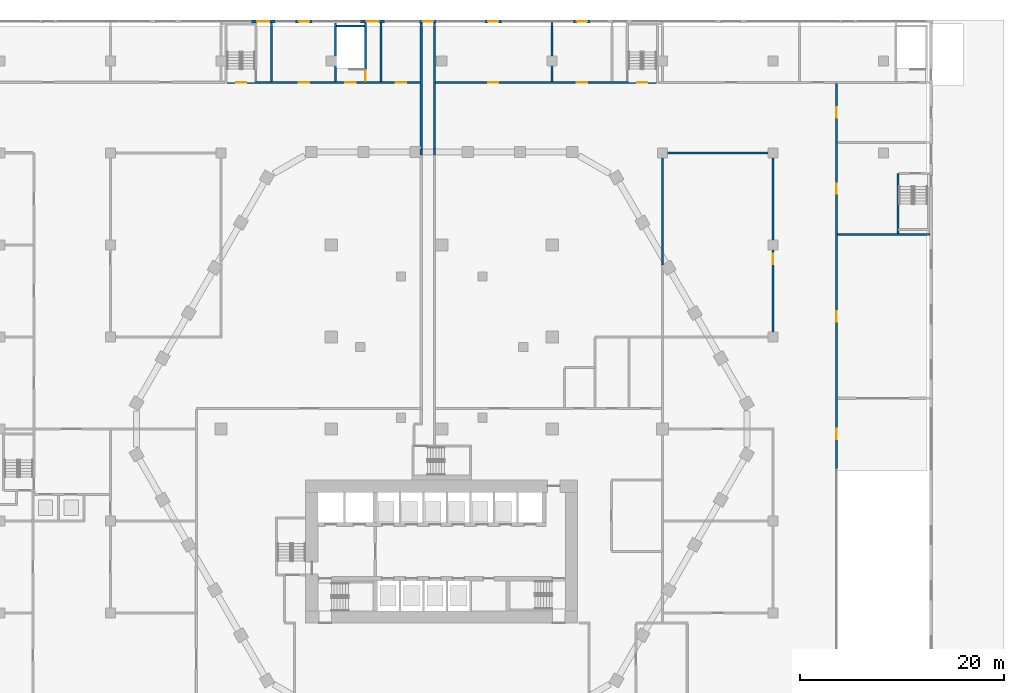
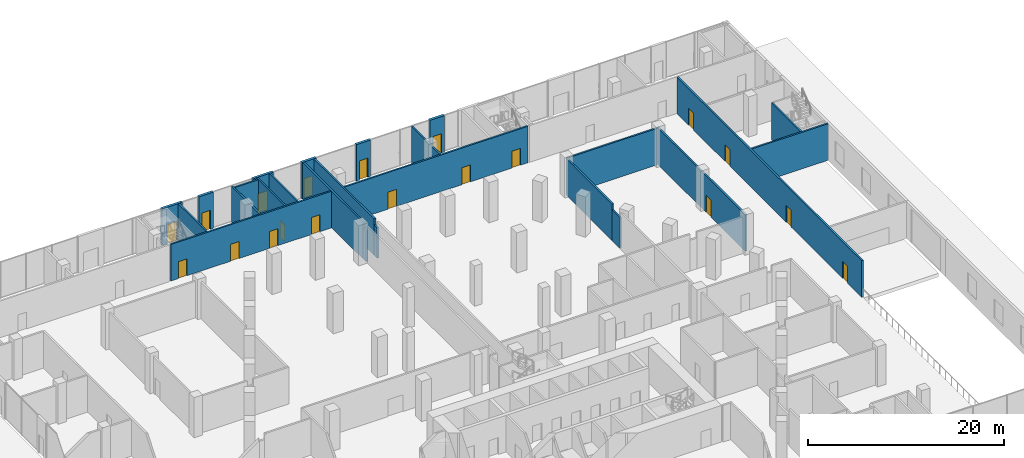
# One storey, part 27 of 57: 25 walls, 19 doors, 19 openings.
"""IFC4 building model written with IfcOpenShell, lengths in metres."""

from ifc_helpers import new_model, si_unit, direction, frame, frame_2d, origin, place, context, subcontext, project, spatial, rectangle, extrude, material, layer, layer_set, type_object, element, fill, save


model = new_model("IFC4")

# Units and contexts
model_context = context("Model", 3, precision=1e-05, world=origin(), true_north=direction((0.0, 1.0)))
body_context = subcontext(model_context, "Body", "Model", "MODEL_VIEW")
ifc_project = project(units=[si_unit("LENGTHUNIT", "METRE"), si_unit("AREAUNIT", "SQUARE_METRE"), si_unit("VOLUMEUNIT", "CUBIC_METRE"), si_unit("PLANEANGLEUNIT", "RADIAN"), si_unit("MASSUNIT", "GRAM", prefix="KILO")], contexts=[model_context])

# Site, building, storey
site_placement = place(None, origin())
site = spatial("IfcSite", under=ifc_project, at=site_placement, CompositionType="ELEMENT")
building_placement = place(site_placement, origin())
building = spatial("IfcBuilding", under=site, at=building_placement, Name="Beryl Residences", CompositionType="ELEMENT")
storey_placement = place(building_placement, origin())
storey = spatial("IfcBuildingStorey", under=building, at=storey_placement, Name="L00", CompositionType="ELEMENT", Elevation=0.0)

# Wall, opening, door
ifc_material_1 = material(Name="Composite metal panel with mineral wool insulation")
ifc_layer_1 = layer(ifc_material_1, 0.300048828125)
ifc_layer_set_1 = layer_set([ifc_layer_1], Name="ES1 pale metal composite panel wall 300 mm")
wall_type_1 = type_object("IfcWallType", Name="ES1 pale metal composite panel wall 300 mm", PredefinedType="SOLIDWALL", material=ifc_layer_set_1)
wall_1_placement = place(storey_placement, frame((-0.5, 39.85009765625, 0.0), z_axis=(0.0, 0.0, 1.0), x_axis=(-1.0, 0.0, 0.0)))
wall_1 = element("IfcWall", 1, at=wall_1_placement, inside=storey, type_object=wall_type_1, Name="ES1 entrance wall L00 N", PredefinedType="SOLIDWALL", context=body_context, shape_type="SweptSolid", body=[
    extrude(rectangle(XDim=1.699951171875, YDim=0.300048828125, at=frame_2d((0.85009765625, 0.0))), origin(), (0.0, 0.0, 1.0), 4.550048828125),
])
opening_1_placement = place(wall_1_placement, frame((1.35009765625, 0.0, 0.0), z_axis=(0.0, 0.0, 1.0), x_axis=(-1.0, 0.0, 0.0)))
opening_1 = element("IfcOpeningElement", 2, at=opening_1_placement, cuts=wall_1, Name="Opening XD2", PredefinedType="OPENING", context=body_context, shape_type="SweptSolid", body=[
    extrude(rectangle(XDim=1.0, YDim=2.39990234375, at=frame_2d((0.5, 1.199951171875))), frame((0.0, 0.159912109375, 0.0), z_axis=(0.0, -1.0, 0.0), x_axis=(1.0, 0.0, 0.0)), (0.0, 0.0, 1.0), 0.320068359375),
])
ifc_material_2 = material(Name="Galvanised steel", Category="steel")
door_type_1 = type_object("IfcDoorType", Name="XD2 exit door 1000 x 2400 mm", OperationType="SINGLE_SWING_RIGHT", PredefinedType="DOOR", material=ifc_material_2)
door_1_placement = place(opening_1_placement, origin())
door_1 = element("IfcDoor", 3, at=door_1_placement, inside=storey, type_object=door_type_1, Name="XD2 exit door L00 N", OperationType="SINGLE_SWING_RIGHT", OverallHeight=2.39990234375, OverallWidth=1.0, PredefinedType="DOOR", context=body_context, shape_type="SweptSolid", body=[
    extrude(rectangle(XDim=1.0, YDim=2.39990234375, at=frame_2d((0.5, 1.199951171875))), frame((0.0, 0.02490234375, 0.0), z_axis=(0.0, -1.0, 0.0), x_axis=(1.0, 0.0, 0.0)), (0.0, 0.0, 1.0), 0.050048828125),
])
fill(opening_1, door_1)

wall_2_placement = place(storey_placement, frame((-5.550048828125, 39.85009765625, 0.0), z_axis=(0.0, 0.0, 1.0), x_axis=(-1.0, 0.0, 0.0)))
wall_2 = element("IfcWall", 4, at=wall_2_placement, inside=storey, type_object=wall_type_1, Name="ES1 entrance wall L00 N", PredefinedType="SOLIDWALL", context=body_context, shape_type="SweptSolid", body=[
    extrude(rectangle(XDim=2.39990234375, YDim=0.300048828125, at=frame_2d((1.199951171875, 0.0))), origin(), (0.0, 0.0, 1.0), 4.550048828125),
])
opening_2_placement = place(wall_2_placement, frame((1.800048828125, 0.0, 0.0), z_axis=(0.0, 0.0, 1.0), x_axis=(-1.0, 0.0, 0.0)))
opening_2 = element("IfcOpeningElement", 5, at=opening_2_placement, cuts=wall_2, Name="Opening XD1", PredefinedType="OPENING", context=body_context, shape_type="SweptSolid", body=[
    extrude(rectangle(XDim=1.199951171875, YDim=2.39990234375, at=frame_2d((0.60009765625, 1.199951171875))), frame((0.0, 0.159912109375, 0.0), z_axis=(0.0, -1.0, 0.0), x_axis=(1.0, 0.0, 0.0)), (0.0, 0.0, 1.0), 0.320068359375),
])
ifc_material_3 = material(Name="Galvanised steel", Category="steel")
door_type_2 = type_object("IfcDoorType", Name="XD1 exit door 1200 x 2400 mm", OperationType="SINGLE_SWING_RIGHT", PredefinedType="DOOR", material=ifc_material_3)
door_2_placement = place(opening_2_placement, origin())
door_2 = element("IfcDoor", 6, at=door_2_placement, inside=storey, type_object=door_type_2, Name="XD1 exit door L00 N", OperationType="SINGLE_SWING_RIGHT", OverallHeight=2.39990234375, OverallWidth=1.199951171875, PredefinedType="DOOR", context=body_context, shape_type="SweptSolid", body=[
    extrude(rectangle(XDim=1.199951171875, YDim=2.39990234375, at=frame_2d((0.60009765625, 1.199951171875))), frame((0.0, 0.02490234375, 0.0), z_axis=(0.0, -1.0, 0.0), x_axis=(1.0, 0.0, 0.0)), (0.0, 0.0, 1.0), 0.050048828125),
])
fill(opening_2, door_2)

wall_3_placement = place(storey_placement, frame((-16.25, 39.85009765625, 0.0), z_axis=(0.0, 0.0, 1.0), x_axis=(-1.0, 0.0, 0.0)))
wall_3 = element("IfcWall", 7, at=wall_3_placement, inside=storey, type_object=wall_type_1, Name="ES1 entrance wall L00 N", PredefinedType="SOLIDWALL", context=body_context, shape_type="SweptSolid", body=[
    extrude(rectangle(XDim=2.39990234375, YDim=0.300048828125, at=frame_2d((1.199951171875, 0.0))), origin(), (0.0, 0.0, 1.0), 4.550048828125),
])
opening_3_placement = place(wall_3_placement, frame((1.800048828125, 0.0, 0.0), z_axis=(0.0, 0.0, 1.0), x_axis=(-1.0, 0.0, 0.0)))
opening_3 = element("IfcOpeningElement", 8, at=opening_3_placement, cuts=wall_3, Name="Opening XD1", PredefinedType="OPENING", context=body_context, shape_type="SweptSolid", body=[
    extrude(rectangle(XDim=1.199951171875, YDim=2.39990234375, at=frame_2d((0.60009765625, 1.199951171875))), frame((0.0, 0.159912109375, 0.0), z_axis=(0.0, -1.0, 0.0), x_axis=(1.0, 0.0, 0.0)), (0.0, 0.0, 1.0), 0.320068359375),
])
door_3_placement = place(opening_3_placement, origin())
door_3 = element("IfcDoor", 9, at=door_3_placement, inside=storey, type_object=door_type_2, Name="XD1 exit door L00 N", OperationType="SINGLE_SWING_RIGHT", OverallHeight=2.39990234375, OverallWidth=1.199951171875, PredefinedType="DOOR", context=body_context, shape_type="SweptSolid", body=[
    extrude(rectangle(XDim=1.199951171875, YDim=2.39990234375, at=frame_2d((0.60009765625, 1.199951171875))), frame((0.0, 0.02490234375, 0.0), z_axis=(0.0, -1.0, 0.0), x_axis=(1.0, 0.0, 0.0)), (0.0, 0.0, 1.0), 0.050048828125),
])
fill(opening_3, door_3)

ifc_material_4 = material(Name="Aluminium framed insulated wall", Category="aluminium")
ifc_layer_2 = layer(ifc_material_4, 0.14990234375)
ifc_layer_set_2 = layer_set([ifc_layer_2], Name="GW1 glazed door wall 150 mm")
wall_type_2 = type_object("IfcWallType", Name="GW1 glazed door wall 150 mm", PredefinedType="SOLIDWALL", material=ifc_layer_set_2)
wall_4_placement = place(storey_placement, frame((14.574951171875, 39.85009765625, 0.0), z_axis=(0.0, 0.0, 1.0), x_axis=(-1.0, 0.0, 0.0)))
wall_4 = element("IfcWall", 10, at=wall_4_placement, inside=storey, type_object=wall_type_2, Name="GW1 shopfront door wall L00 N", PredefinedType="SOLIDWALL", context=body_context, shape_type="SweptSolid", body=[
    extrude(rectangle(XDim=1.699951171875, YDim=0.300048828125, at=frame_2d((0.85009765625, 0.0))), origin(), (0.0, 0.0, 1.0), 4.550048828125),
])
opening_4_placement = place(wall_4_placement, frame((1.35009765625, 0.0, 0.0), z_axis=(0.0, 0.0, 1.0), x_axis=(-1.0, 0.0, 0.0)))
opening_4 = element("IfcOpeningElement", 11, at=opening_4_placement, cuts=wall_4, Name="Opening ED4", PredefinedType="OPENING", context=body_context, shape_type="SweptSolid", body=[
    extrude(rectangle(XDim=1.0, YDim=2.39990234375, at=frame_2d((0.5, 1.199951171875))), frame((0.0, 0.159912109375, 0.0), z_axis=(0.0, -1.0, 0.0), x_axis=(1.0, 0.0, 0.0)), (0.0, 0.0, 1.0), 0.320068359375),
])
ifc_material_5 = material(Name="Aluminium and clear glass", Category="aluminium")
door_type_3 = type_object("IfcDoorType", Name="ED4 street door 1000 x 2400 mm", OperationType="SINGLE_SWING_RIGHT", PredefinedType="DOOR", material=ifc_material_5)
door_4_placement = place(opening_4_placement, origin())
door_4 = element("IfcDoor", 12, at=door_4_placement, inside=storey, type_object=door_type_3, Name="ED4 street door L00 N", OperationType="SINGLE_SWING_RIGHT", OverallHeight=2.39990234375, OverallWidth=1.0, PredefinedType="DOOR", context=body_context, shape_type="SweptSolid", body=[
    extrude(rectangle(XDim=1.0, YDim=2.39990234375, at=frame_2d((0.5, 1.199951171875))), frame((0.0, 0.02490234375, 0.0), z_axis=(0.0, -1.0, 0.0), x_axis=(1.0, 0.0, 0.0)), (0.0, 0.0, 1.0), 0.050048828125),
])
fill(opening_4, door_4)

wall_5_placement = place(storey_placement, frame((5.89990234375, 39.85009765625, 0.0), z_axis=(0.0, 0.0, 1.0), x_axis=(-1.0, 0.0, 0.0)))
wall_5 = element("IfcWall", 13, at=wall_5_placement, inside=storey, type_object=wall_type_2, Name="GW1 shopfront door wall L00 N", PredefinedType="SOLIDWALL", context=body_context, shape_type="SweptSolid", body=[
    extrude(rectangle(XDim=1.699951171875, YDim=0.300048828125, at=frame_2d((0.85009765625, 0.0))), origin(), (0.0, 0.0, 1.0), 4.550048828125),
])
opening_5_placement = place(wall_5_placement, frame((1.35009765625, 0.0, 0.0), z_axis=(0.0, 0.0, 1.0), x_axis=(-1.0, 0.0, 0.0)))
opening_5 = element("IfcOpeningElement", 14, at=opening_5_placement, cuts=wall_5, Name="Opening ED4", PredefinedType="OPENING", context=body_context, shape_type="SweptSolid", body=[
    extrude(rectangle(XDim=1.0, YDim=2.39990234375, at=frame_2d((0.5, 1.199951171875))), frame((0.0, 0.159912109375, 0.0), z_axis=(0.0, -1.0, 0.0), x_axis=(1.0, 0.0, 0.0)), (0.0, 0.0, 1.0), 0.320068359375),
])
door_5_placement = place(opening_5_placement, origin())
door_5 = element("IfcDoor", 15, at=door_5_placement, inside=storey, type_object=door_type_3, Name="ED4 street door L00 N", OperationType="SINGLE_SWING_RIGHT", OverallHeight=2.39990234375, OverallWidth=1.0, PredefinedType="DOOR", context=body_context, shape_type="SweptSolid", body=[
    extrude(rectangle(XDim=1.0, YDim=2.39990234375, at=frame_2d((0.5, 1.199951171875))), frame((0.0, 0.02490234375, 0.0), z_axis=(0.0, -1.0, 0.0), x_axis=(1.0, 0.0, 0.0)), (0.0, 0.0, 1.0), 0.050048828125),
])
fill(opening_5, door_5)

wall_6_placement = place(storey_placement, frame((-12.625, 39.85009765625, 0.0), z_axis=(0.0, 0.0, 1.0), x_axis=(-1.0, 0.0, 0.0)))
wall_6 = element("IfcWall", 16, at=wall_6_placement, inside=storey, type_object=wall_type_2, Name="GW1 shopfront door wall L00 N", PredefinedType="SOLIDWALL", context=body_context, shape_type="SweptSolid", body=[
    extrude(rectangle(XDim=1.699951171875, YDim=0.300048828125, at=frame_2d((0.85009765625, 0.0))), origin(), (0.0, 0.0, 1.0), 4.550048828125),
])
opening_6_placement = place(wall_6_placement, frame((1.35009765625, 0.0, 0.0), z_axis=(0.0, 0.0, 1.0), x_axis=(-1.0, 0.0, 0.0)))
opening_6 = element("IfcOpeningElement", 17, at=opening_6_placement, cuts=wall_6, Name="Opening ED4", PredefinedType="OPENING", context=body_context, shape_type="SweptSolid", body=[
    extrude(rectangle(XDim=1.0, YDim=2.39990234375, at=frame_2d((0.5, 1.199951171875))), frame((0.0, 0.159912109375, 0.0), z_axis=(0.0, -1.0, 0.0), x_axis=(1.0, 0.0, 0.0)), (0.0, 0.0, 1.0), 0.320068359375),
])
door_6_placement = place(opening_6_placement, origin())
door_6 = element("IfcDoor", 18, at=door_6_placement, inside=storey, type_object=door_type_3, Name="ED4 street door L00 N", OperationType="SINGLE_SWING_RIGHT", OverallHeight=2.39990234375, OverallWidth=1.0, PredefinedType="DOOR", context=body_context, shape_type="SweptSolid", body=[
    extrude(rectangle(XDim=1.0, YDim=2.39990234375, at=frame_2d((0.5, 1.199951171875))), frame((0.0, 0.02490234375, 0.0), z_axis=(0.0, -1.0, 0.0), x_axis=(1.0, 0.0, 0.0)), (0.0, 0.0, 1.0), 0.050048828125),
])
fill(opening_6, door_6)

# Walls
ifc_material_6 = material(Name="Double stud gypsum board wall")
ifc_layer_3 = layer(ifc_material_6, 0.199951171875)
ifc_layer_set_3 = layer_set([ifc_layer_3], Name="PT10 tenancy wall 200 mm")
wall_type_3 = type_object("IfcWallType", Name="PT10 tenancy wall 200 mm", PredefinedType="PARTITIONING", material=ifc_layer_set_3)
wall_7_placement = place(storey_placement, frame((21.60009765625, 27.0, 0.0), z_axis=(0.0, 0.0, 1.0), x_axis=(1.0, 0.0, 0.0)))
element("IfcWall", 19, at=wall_7_placement, inside=storey, type_object=wall_type_3, Name="Wall PT10 L00 019", PredefinedType="PARTITIONING", context=body_context, shape_type="SweptSolid", body=[
    extrude(rectangle(XDim=10.89990234375, YDim=0.199951171875, at=frame_2d((5.449951171875, 0.0))), origin(), (0.0, 0.0, 1.0), 4.550048828125),
])
wall_8_placement = place(storey_placement, frame((10.800048828125, 34.0, 0.0), z_axis=(0.0, 0.0, 1.0), x_axis=(0.0, 1.0, 0.0)))
element("IfcWall", 20, at=wall_8_placement, inside=storey, type_object=wall_type_3, Name="Wall PT10 L00 027", PredefinedType="PARTITIONING", context=body_context, shape_type="SweptSolid", body=[
    extrude(rectangle(XDim=5.75, YDim=0.199951171875, at=frame_2d((2.875, 0.0))), origin(), (0.0, 0.0, 1.0), 4.550048828125),
])

# Wall, opening, door
wall_9_placement = place(storey_placement, frame((32.39990234375, 9.10009765625, 0.0), z_axis=(0.0, 0.0, 1.0), x_axis=(0.0, 1.0, 0.0)))
wall_9 = element("IfcWall", 21, at=wall_9_placement, inside=storey, type_object=wall_type_3, Name="Wall PT10 L00 030", PredefinedType="PARTITIONING", context=body_context, shape_type="SweptSolid", body=[
    extrude(rectangle(XDim=17.7998046875, YDim=0.199951171875, at=frame_2d((8.89990234375, 0.0))), origin(), (0.0, 0.0, 1.0), 4.550048828125),
])
opening_7_placement = place(wall_9_placement, frame((7.02490234375, 0.0, 0.0)))
opening_7 = element("IfcOpeningElement", 22, at=opening_7_placement, cuts=wall_9, Name="Opening L00-32", PredefinedType="OPENING", context=body_context, shape_type="SweptSolid", body=[
    extrude(rectangle(XDim=1.0, YDim=2.10009765625, at=frame_2d((0.5, 1.050048828125))), frame((0.0, 0.10986328125, 0.0), z_axis=(0.0, -1.0, 0.0), x_axis=(1.0, 0.0, 0.0)), (0.0, 0.0, 1.0), 0.219970703125),
])
ifc_material_7 = material(Name="Timber door leaf", Category="wood")
door_type_4 = type_object("IfcDoorType", Name="D9 corridor door 1000 x 2100 mm", OperationType="SINGLE_SWING_LEFT", PredefinedType="DOOR", material=ifc_material_7)
door_7_placement = place(opening_7_placement, origin())
door_7 = element("IfcDoor", 23, at=door_7_placement, inside=storey, type_object=door_type_4, Name="Door L00-32 L00 001", OperationType="SINGLE_SWING_RIGHT", OverallHeight=2.10009765625, OverallWidth=1.0, PredefinedType="DOOR", context=body_context, shape_type="SweptSolid", body=[
    extrude(rectangle(XDim=1.0, YDim=2.10009765625, at=frame_2d((0.5, 1.050048828125))), frame((0.0, 0.02490234375, 0.0), z_axis=(0.0, -1.0, 0.0), x_axis=(1.0, 0.0, 0.0)), (0.0, 0.0, 1.0), 0.050048828125),
])
fill(opening_7, door_7)

# Wall, openings, doors
ifc_material_8 = material(Name="Concrete C40/50", Category="concrete")
ifc_layer_4 = layer(ifc_material_8, 0.199951171875)
ifc_layer_set_4 = layer_set([ifc_layer_4], Name="PT5 stair enclosure wall 200 mm reinforced concrete C40/50")
wall_type_4 = type_object("IfcWallType", Name="PT5 stair enclosure wall 200 mm reinforced concrete C40/50", PredefinedType="SOLIDWALL", material=ifc_layer_set_4)
wall_10_placement = place(storey_placement, frame((-21.0, 33.89990234375, 0.0), z_axis=(0.0, 0.0, 1.0), x_axis=(1.0, 0.0, 0.0)))
wall_10 = element("IfcWall", 24, at=wall_10_placement, inside=storey, type_object=wall_type_4, Name="Wall PT5 L00 019", PredefinedType="SOLIDWALL", context=body_context, shape_type="SweptSolid", body=[
    extrude(rectangle(XDim=18.89990234375, YDim=0.199951171875, at=frame_2d((9.449951171875, 0.0))), origin(), (0.0, 0.0, 1.0), 4.550048828125),
])
opening_8_placement = place(wall_10_placement, frame((7.02490234375, 0.0, 0.0)))
opening_8 = element("IfcOpeningElement", 25, at=opening_8_placement, cuts=wall_10, Name="Opening L00-21", PredefinedType="OPENING", context=body_context, shape_type="SweptSolid", body=[
    extrude(rectangle(XDim=1.0, YDim=2.10009765625, at=frame_2d((0.5, 1.050048828125))), frame((0.0, 0.10986328125, 0.0), z_axis=(0.0, -1.0, 0.0), x_axis=(1.0, 0.0, 0.0)), (0.0, 0.0, 1.0), 0.219970703125),
])
opening_9_placement = place(wall_10_placement, frame((16.52294921875, 0.0, 0.0)))
opening_9 = element("IfcOpeningElement", 26, at=opening_9_placement, cuts=wall_10, Name="Opening L00-25", PredefinedType="OPENING", context=body_context, shape_type="SweptSolid", body=[
    extrude(rectangle(XDim=1.0, YDim=2.10009765625, at=frame_2d((0.5, 1.050048828125))), frame((0.0, 0.10986328125, 0.0), z_axis=(0.0, -1.0, 0.0), x_axis=(1.0, 0.0, 0.0)), (0.0, 0.0, 1.0), 0.219970703125),
])
opening_10_placement = place(wall_10_placement, frame((0.89306640625, 0.0, 0.0)))
opening_10 = element("IfcOpeningElement", 27, at=opening_10_placement, cuts=wall_10, Name="Opening L00-40", PredefinedType="OPENING", context=body_context, shape_type="SweptSolid", body=[
    extrude(rectangle(XDim=1.0, YDim=2.10009765625, at=frame_2d((0.5, 1.050048828125))), frame((0.0, 0.10986328125, 0.0), z_axis=(0.0, -1.0, 0.0), x_axis=(1.0, 0.0, 0.0)), (0.0, 0.0, 1.0), 0.219970703125),
])
opening_11_placement = place(wall_10_placement, frame((11.574951171875, 0.0, 0.0)))
opening_11 = element("IfcOpeningElement", 28, at=opening_11_placement, cuts=wall_10, Name="Opening L00-46", PredefinedType="OPENING", context=body_context, shape_type="SweptSolid", body=[
    extrude(rectangle(XDim=1.0, YDim=2.10009765625, at=frame_2d((0.5, 1.050048828125))), frame((0.0, 0.10986328125, 0.0), z_axis=(0.0, -1.0, 0.0), x_axis=(1.0, 0.0, 0.0)), (0.0, 0.0, 1.0), 0.219970703125),
])
ifc_material_9 = material(Name="Steel door leaf in steel frame", Category="steel")
door_type_5 = type_object("IfcDoorType", Name="D15 stair door 1000 x 2100 mm", OperationType="SINGLE_SWING_LEFT", PredefinedType="DOOR", material=ifc_material_9)
door_8_placement = place(opening_10_placement, origin())
door_8 = element("IfcDoor", 29, at=door_8_placement, inside=storey, type_object=door_type_5, Name="Door L00-40 L00 001", OperationType="SINGLE_SWING_RIGHT", OverallHeight=2.10009765625, OverallWidth=1.0, PredefinedType="DOOR", context=body_context, shape_type="SweptSolid", body=[
    extrude(rectangle(XDim=1.0, YDim=2.10009765625, at=frame_2d((0.5, 1.050048828125))), frame((0.0, 0.02490234375, 0.0), z_axis=(0.0, -1.0, 0.0), x_axis=(1.0, 0.0, 0.0)), (0.0, 0.0, 1.0), 0.050048828125),
])
fill(opening_10, door_8)
door_9_placement = place(opening_11_placement, origin())
door_9 = element("IfcDoor", 30, at=door_9_placement, inside=storey, type_object=door_type_5, Name="Door L00-46 L00 001", OperationType="SINGLE_SWING_RIGHT", OverallHeight=2.10009765625, OverallWidth=1.0, PredefinedType="DOOR", context=body_context, shape_type="SweptSolid", body=[
    extrude(rectangle(XDim=1.0, YDim=2.10009765625, at=frame_2d((0.5, 1.050048828125))), frame((0.0, 0.02490234375, 0.0), z_axis=(0.0, -1.0, 0.0), x_axis=(1.0, 0.0, 0.0)), (0.0, 0.0, 1.0), 0.050048828125),
])
fill(opening_11, door_9)
door_10_placement = place(opening_8_placement, origin())
door_10 = element("IfcDoor", 31, at=door_10_placement, inside=storey, type_object=door_type_4, Name="Door L00-21 L00 001", OperationType="SINGLE_SWING_LEFT", OverallHeight=2.10009765625, OverallWidth=1.0, PredefinedType="DOOR", context=body_context, shape_type="SweptSolid", body=[
    extrude(rectangle(XDim=1.0, YDim=2.10009765625, at=frame_2d((0.5, 1.050048828125))), frame((0.0, 0.02490234375, 0.0), z_axis=(0.0, -1.0, 0.0), x_axis=(1.0, 0.0, 0.0)), (0.0, 0.0, 1.0), 0.050048828125),
])
fill(opening_8, door_10)
door_11_placement = place(opening_9_placement, origin())
door_11 = element("IfcDoor", 32, at=door_11_placement, inside=storey, type_object=door_type_4, Name="Door L00-25 L00 001", OperationType="SINGLE_SWING_LEFT", OverallHeight=2.10009765625, OverallWidth=1.0, PredefinedType="DOOR", context=body_context, shape_type="SweptSolid", body=[
    extrude(rectangle(XDim=1.0, YDim=2.10009765625, at=frame_2d((0.5, 1.050048828125))), frame((0.0, 0.02490234375, 0.0), z_axis=(0.0, -1.0, 0.0), x_axis=(1.0, 0.0, 0.0)), (0.0, 0.0, 1.0), 0.050048828125),
])
fill(opening_9, door_11)

wall_11_placement = place(storey_placement, frame((-0.60009765625, 33.89990234375, 0.0), z_axis=(0.0, 0.0, 1.0), x_axis=(1.0, 0.0, 0.0)))
wall_11 = element("IfcWall", 33, at=wall_11_placement, inside=storey, type_object=wall_type_4, Name="Wall PT5 L00 020", PredefinedType="SOLIDWALL", context=body_context, shape_type="SweptSolid", body=[
    extrude(rectangle(XDim=21.60009765625, YDim=0.199951171875, at=frame_2d((10.800048828125, 0.0))), origin(), (0.0, 0.0, 1.0), 4.550048828125),
])
opening_12_placement = place(wall_11_placement, frame((5.152099609375, 0.0, 0.0)))
opening_12 = element("IfcOpeningElement", 34, at=opening_12_placement, cuts=wall_11, Name="Opening L00-22", PredefinedType="OPENING", context=body_context, shape_type="SweptSolid", body=[
    extrude(rectangle(XDim=1.0, YDim=2.10009765625, at=frame_2d((0.5, 1.050048828125))), frame((0.0, 0.10986328125, 0.0), z_axis=(0.0, -1.0, 0.0), x_axis=(1.0, 0.0, 0.0)), (0.0, 0.0, 1.0), 0.219970703125),
])
opening_13_placement = place(wall_11_placement, frame((13.824951171875, 0.0, 0.0)))
opening_13 = element("IfcOpeningElement", 35, at=opening_13_placement, cuts=wall_11, Name="Opening L00-23", PredefinedType="OPENING", context=body_context, shape_type="SweptSolid", body=[
    extrude(rectangle(XDim=1.0, YDim=2.10009765625, at=frame_2d((0.5, 1.050048828125))), frame((0.0, 0.10986328125, 0.0), z_axis=(0.0, -1.0, 0.0), x_axis=(1.0, 0.0, 0.0)), (0.0, 0.0, 1.0), 0.219970703125),
])
opening_14_placement = place(wall_11_placement, frame((19.70703125, 0.0, 0.0)))
opening_14 = element("IfcOpeningElement", 36, at=opening_14_placement, cuts=wall_11, Name="Opening L00-41", PredefinedType="OPENING", context=body_context, shape_type="SweptSolid", body=[
    extrude(rectangle(XDim=1.0, YDim=2.10009765625, at=frame_2d((0.5, 1.050048828125))), frame((0.0, 0.10986328125, 0.0), z_axis=(0.0, -1.0, 0.0), x_axis=(1.0, 0.0, 0.0)), (0.0, 0.0, 1.0), 0.219970703125),
])
door_12_placement = place(opening_14_placement, origin())
door_12 = element("IfcDoor", 37, at=door_12_placement, inside=storey, type_object=door_type_5, Name="Door L00-41 L00 001", OperationType="SINGLE_SWING_LEFT", OverallHeight=2.10009765625, OverallWidth=1.0, PredefinedType="DOOR", context=body_context, shape_type="SweptSolid", body=[
    extrude(rectangle(XDim=1.0, YDim=2.10009765625, at=frame_2d((0.5, 1.050048828125))), frame((0.0, 0.02490234375, 0.0), z_axis=(0.0, -1.0, 0.0), x_axis=(1.0, 0.0, 0.0)), (0.0, 0.0, 1.0), 0.050048828125),
])
fill(opening_14, door_12)
door_13_placement = place(opening_12_placement, origin())
door_13 = element("IfcDoor", 38, at=door_13_placement, inside=storey, type_object=door_type_4, Name="Door L00-22 L00 001", OperationType="SINGLE_SWING_RIGHT", OverallHeight=2.10009765625, OverallWidth=1.0, PredefinedType="DOOR", context=body_context, shape_type="SweptSolid", body=[
    extrude(rectangle(XDim=1.0, YDim=2.10009765625, at=frame_2d((0.5, 1.050048828125))), frame((0.0, 0.02490234375, 0.0), z_axis=(0.0, -1.0, 0.0), x_axis=(1.0, 0.0, 0.0)), (0.0, 0.0, 1.0), 0.050048828125),
])
fill(opening_12, door_13)
door_14_placement = place(opening_13_placement, origin())
door_14 = element("IfcDoor", 39, at=door_14_placement, inside=storey, type_object=door_type_4, Name="Door L00-23 L00 001", OperationType="SINGLE_SWING_LEFT", OverallHeight=2.10009765625, OverallWidth=1.0, PredefinedType="DOOR", context=body_context, shape_type="SweptSolid", body=[
    extrude(rectangle(XDim=1.0, YDim=2.10009765625, at=frame_2d((0.5, 1.050048828125))), frame((0.0, 0.02490234375, 0.0), z_axis=(0.0, -1.0, 0.0), x_axis=(1.0, 0.0, 0.0)), (0.0, 0.0, 1.0), 0.050048828125),
])
fill(opening_13, door_14)

# Walls
for number, where, z_axis, x_axis, name in (
    (40, (-16.64990234375, 34.0, 0.0), (0.0, 0.0, 1.0), (0.0, 1.0, 0.0), "Wall PT5 L00 036"),
    (41, (-10.39990234375, 34.0, 0.0), (0.0, 0.0, 1.0), (0.0, 1.0, 0.0), "Wall PT5 L00 041"),
):
    element("IfcWall", number, at=place(storey_placement, frame(where, z_axis=z_axis, x_axis=x_axis)), inside=storey, type_object=wall_type_4, Name=name, PredefinedType="SOLIDWALL", context=body_context, shape_type="SweptSolid", body=[
        extrude(rectangle(XDim=5.699951171875, YDim=0.199951171875, at=frame_2d((2.85009765625, 0.0))), origin(), (0.0, 0.0, 1.0), 4.550048828125),
    ])

# Wall, opening, door
wall_12_placement = place(storey_placement, frame((-7.449951171875, 34.0, 0.0), z_axis=(0.0, 0.0, 1.0), x_axis=(0.0, 1.0, 0.0)))
wall_12 = element("IfcWall", 42, at=wall_12_placement, inside=storey, type_object=wall_type_4, Name="Wall PT5 L00 042", PredefinedType="SOLIDWALL", context=body_context, shape_type="SweptSolid", body=[
    extrude(rectangle(XDim=5.699951171875, YDim=0.199951171875, at=frame_2d((2.85009765625, 0.0))), origin(), (0.0, 0.0, 1.0), 4.550048828125),
])
opening_15_placement = place(wall_12_placement, frame((1.050048828125, 0.0, 0.0), z_axis=(0.0, 0.0, 1.0), x_axis=(-1.0, 0.0, 0.0)))
opening_15 = element("IfcOpeningElement", 43, at=opening_15_placement, cuts=wall_12, Name="Opening L00-50", PredefinedType="OPENING", context=body_context, shape_type="SweptSolid", body=[
    extrude(rectangle(XDim=1.0, YDim=2.10009765625, at=frame_2d((0.5, 1.050048828125))), frame((0.0, 0.10986328125, 0.0), z_axis=(0.0, -1.0, 0.0), x_axis=(1.0, 0.0, 0.0)), (0.0, 0.0, 1.0), 0.219970703125),
])
door_15_placement = place(opening_15_placement, origin())
door_15 = element("IfcDoor", 44, at=door_15_placement, inside=storey, type_object=door_type_5, Name="Door L00-50 L00 001", OperationType="SINGLE_SWING_RIGHT", OverallHeight=2.10009765625, OverallWidth=1.0, PredefinedType="DOOR", context=body_context, shape_type="SweptSolid", body=[
    extrude(rectangle(XDim=1.0, YDim=2.10009765625, at=frame_2d((0.5, 1.050048828125))), frame((0.0, 0.02490234375, 0.0), z_axis=(0.0, -1.0, 0.0), x_axis=(1.0, 0.0, 0.0)), (0.0, 0.0, 1.0), 0.050048828125),
])
fill(opening_15, door_15)

# Walls
wall_13_placement = place(storey_placement, frame((-5.949951171875, 34.0, 0.0), z_axis=(0.0, 0.0, 1.0), x_axis=(0.0, 1.0, 0.0)))
element("IfcWall", 45, at=wall_13_placement, inside=storey, type_object=wall_type_4, Name="Wall PT5 L00 043", PredefinedType="SOLIDWALL", context=body_context, shape_type="SweptSolid", body=[
    extrude(rectangle(XDim=5.699951171875, YDim=0.199951171875, at=frame_2d((2.85009765625, 0.0))), origin(), (0.0, 0.0, 1.0), 4.550048828125),
])
wall_14_placement = place(storey_placement, frame((-2.0, 26.800048828125, 0.0), z_axis=(0.0, 0.0, 1.0), x_axis=(0.0, 1.0, 0.0)))
element("IfcWall", 46, at=wall_14_placement, inside=storey, type_object=wall_type_4, Name="Wall PT5 L00 046", PredefinedType="SOLIDWALL", context=body_context, shape_type="SweptSolid", body=[
    extrude(rectangle(XDim=0.599853515625, YDim=0.199951171875, at=frame_2d((0.2998046875, 0.0))), origin(), (0.0, 0.0, 1.0), 3.820068359375),
])
wall_15_placement = place(storey_placement, frame((-2.0, 27.39990234375, 0.0), z_axis=(0.0, 0.0, 1.0), x_axis=(0.0, 1.0, 0.0)))
element("IfcWall", 47, at=wall_15_placement, inside=storey, type_object=wall_type_4, Name="Wall PT5 L00 047", PredefinedType="SOLIDWALL", context=body_context, shape_type="SweptSolid", body=[
    extrude(rectangle(XDim=12.300048828125, YDim=0.199951171875, at=frame_2d((6.14990234375, 0.0))), origin(), (0.0, 0.0, 1.0), 4.550048828125),
])
wall_16_placement = place(storey_placement, frame((-0.699951171875, 26.800048828125, 0.0), z_axis=(0.0, 0.0, 1.0), x_axis=(0.0, 1.0, 0.0)))
element("IfcWall", 48, at=wall_16_placement, inside=storey, type_object=wall_type_4, Name="Wall PT5 L00 049", PredefinedType="SOLIDWALL", context=body_context, shape_type="SweptSolid", body=[
    extrude(rectangle(XDim=0.599853515625, YDim=0.199951171875, at=frame_2d((0.2998046875, 0.0))), origin(), (0.0, 0.0, 1.0), 3.820068359375),
])
wall_17_placement = place(storey_placement, frame((-0.699951171875, 27.39990234375, 0.0), z_axis=(0.0, 0.0, 1.0), x_axis=(0.0, 1.0, 0.0)))
element("IfcWall", 49, at=wall_17_placement, inside=storey, type_object=wall_type_4, Name="Wall PT5 L00 050", PredefinedType="SOLIDWALL", context=body_context, shape_type="SweptSolid", body=[
    extrude(rectangle(XDim=12.300048828125, YDim=0.199951171875, at=frame_2d((6.14990234375, 0.0))), origin(), (0.0, 0.0, 1.0), 4.550048828125),
])
wall_18_placement = place(storey_placement, frame((44.64990234375, 19.10009765625, 0.0), z_axis=(0.0, 0.0, 1.0), x_axis=(0.0, 1.0, 0.0)))
element("IfcWall", 50, at=wall_18_placement, inside=storey, type_object=wall_type_4, Name="Wall PT5 L00 061", PredefinedType="SOLIDWALL", context=body_context, shape_type="SweptSolid", body=[
    extrude(rectangle(XDim=5.89990234375, YDim=0.199951171875, at=frame_2d((2.949951171875, 0.0))), origin(), (0.0, 0.0, 1.0), 4.550048828125),
])
wall_19_placement = place(storey_placement, frame((-10.300048828125, 39.39990234375, 0.0), z_axis=(0.0, 0.0, 1.0), x_axis=(1.0, 0.0, 0.0)))
element("IfcWall", 51, at=wall_19_placement, inside=storey, type_object=wall_type_4, Name="Wall PT5 L00 065", PredefinedType="SOLIDWALL", context=body_context, shape_type="SweptSolid", body=[
    extrude(rectangle(XDim=2.75, YDim=0.199951171875, at=frame_2d((1.375, 0.0))), origin(), (0.0, 0.0, 1.0), 4.550048828125),
])
ifc_material_10 = material(Name="Concrete masonry", Category="masonry")
ifc_layer_5 = layer(ifc_material_10, 0.199951171875)
ifc_layer_set_5 = layer_set([ifc_layer_5], Name="PT8-200 service room wall 200 mm")
wall_type_5 = type_object("IfcWallType", Name="PT8-200 service room wall 200 mm", PredefinedType="PARTITIONING", material=ifc_layer_set_5)
wall_20_placement = place(storey_placement, frame((38.699951171875, 19.0, 0.0), z_axis=(0.0, 0.0, 1.0), x_axis=(1.0, 0.0, 0.0)))
element("IfcWall", 52, at=wall_20_placement, inside=storey, type_object=wall_type_5, Name="Wall PT8-200 L00 009", PredefinedType="PARTITIONING", context=body_context, shape_type="SweptSolid", body=[
    extrude(rectangle(XDim=9.050048828125, YDim=0.199951171875, at=frame_2d((4.52490234375, 0.0))), origin(), (0.0, 0.0, 1.0), 4.550048828125),
])
wall_21_placement = place(storey_placement, frame((21.60009765625, 16.014892578125, 0.0), z_axis=(0.0, 0.0, 1.0), x_axis=(0.0, 1.0, 0.0)))
element("IfcWall", 53, at=wall_21_placement, inside=storey, type_object=wall_type_5, Name="Wall PT8-200 L00 017", PredefinedType="PARTITIONING", context=body_context, shape_type="SweptSolid", body=[
    extrude(rectangle(XDim=1.546142578125, YDim=0.199951171875, at=frame_2d((0.77294921875, 0.0))), origin(), (0.0, 0.0, 1.0), 3.820068359375),
])
wall_22_placement = place(storey_placement, frame((21.60009765625, 17.56103515625, 0.0), z_axis=(0.0, 0.0, 1.0), x_axis=(0.0, 1.0, 0.0)))
element("IfcWall", 54, at=wall_22_placement, inside=storey, type_object=wall_type_5, Name="Wall PT8-200 L00 018", PredefinedType="PARTITIONING", context=body_context, shape_type="SweptSolid", body=[
    extrude(rectangle(XDim=9.3388671875, YDim=0.199951171875, at=frame_2d((4.66943359375, 0.0))), origin(), (0.0, 0.0, 1.0), 4.550048828125),
])

# Wall, openings, doors
wall_23_placement = place(storey_placement, frame((38.60009765625, -3.8798828125, 0.0), z_axis=(0.0, 0.0, 1.0), x_axis=(0.0, 1.0, 0.0)))
wall_23 = element("IfcWall", 55, at=wall_23_placement, inside=storey, type_object=wall_type_5, Name="Wall PT8-200 L00 020", PredefinedType="PARTITIONING", context=body_context, shape_type="SweptSolid", body=[
    extrude(rectangle(XDim=37.679931640625, YDim=0.199951171875, at=frame_2d((18.83984375, 0.0))), origin(), (0.0, 0.0, 1.0), 4.550048828125),
])
opening_16_placement = place(wall_23_placement, frame((35.327880859375, 0.0, 0.0), z_axis=(0.0, 0.0, 1.0), x_axis=(-1.0, 0.0, 0.0)))
opening_16 = element("IfcOpeningElement", 56, at=opening_16_placement, cuts=wall_23, Name="Opening L00-33", PredefinedType="OPENING", context=body_context, shape_type="SweptSolid", body=[
    extrude(rectangle(XDim=1.0, YDim=2.10009765625, at=frame_2d((0.5, 1.050048828125))), frame((0.0, 0.10986328125, 0.0), z_axis=(0.0, -1.0, 0.0), x_axis=(1.0, 0.0, 0.0)), (0.0, 0.0, 1.0), 0.219970703125),
])
opening_17_placement = place(wall_23_placement, frame((27.8798828125, 0.0, 0.0), z_axis=(0.0, 0.0, 1.0), x_axis=(-1.0, 0.0, 0.0)))
opening_17 = element("IfcOpeningElement", 57, at=opening_17_placement, cuts=wall_23, Name="Opening L00-34", PredefinedType="OPENING", context=body_context, shape_type="SweptSolid", body=[
    extrude(rectangle(XDim=1.0, YDim=2.10009765625, at=frame_2d((0.5, 1.050048828125))), frame((0.0, 0.10986328125, 0.0), z_axis=(0.0, -1.0, 0.0), x_axis=(1.0, 0.0, 0.0)), (0.0, 0.0, 1.0), 0.219970703125),
])
opening_18_placement = place(wall_23_placement, frame((14.3798828125, 0.0, 0.0)))
opening_18 = element("IfcOpeningElement", 58, at=opening_18_placement, cuts=wall_23, Name="Opening L00-36", PredefinedType="OPENING", context=body_context, shape_type="SweptSolid", body=[
    extrude(rectangle(XDim=1.0, YDim=2.10009765625, at=frame_2d((0.5, 1.050048828125))), frame((0.0, 0.10986328125, 0.0), z_axis=(0.0, -1.0, 0.0), x_axis=(1.0, 0.0, 0.0)), (0.0, 0.0, 1.0), 0.219970703125),
])
opening_19_placement = place(wall_23_placement, frame((2.8798828125, 0.0, 0.0)))
opening_19 = element("IfcOpeningElement", 59, at=opening_19_placement, cuts=wall_23, Name="Opening L00-37", PredefinedType="OPENING", context=body_context, shape_type="SweptSolid", body=[
    extrude(rectangle(XDim=1.0, YDim=2.10009765625, at=frame_2d((0.5, 1.050048828125))), frame((0.0, 0.10986328125, 0.0), z_axis=(0.0, -1.0, 0.0), x_axis=(1.0, 0.0, 0.0)), (0.0, 0.0, 1.0), 0.219970703125),
])
ifc_material_11 = material(Name="Steel door leaf in steel frame", Category="steel")
door_type_6 = type_object("IfcDoorType", Name="D18 service room door 1000 x 2100 mm", OperationType="SINGLE_SWING_LEFT", PredefinedType="DOOR", material=ifc_material_11)
door_16_placement = place(opening_18_placement, origin())
door_16 = element("IfcDoor", 60, at=door_16_placement, inside=storey, type_object=door_type_6, Name="Door L00-36 L00 001", OperationType="SINGLE_SWING_RIGHT", OverallHeight=2.10009765625, OverallWidth=1.0, PredefinedType="DOOR", context=body_context, shape_type="SweptSolid", body=[
    extrude(rectangle(XDim=1.0, YDim=2.10009765625, at=frame_2d((0.5, 1.050048828125))), frame((0.0, 0.02490234375, 0.0), z_axis=(0.0, -1.0, 0.0), x_axis=(1.0, 0.0, 0.0)), (0.0, 0.0, 1.0), 0.050048828125),
])
fill(opening_18, door_16)
door_17_placement = place(opening_19_placement, origin())
door_17 = element("IfcDoor", 61, at=door_17_placement, inside=storey, type_object=door_type_6, Name="Door L00-37 L00 001", OperationType="SINGLE_SWING_LEFT", OverallHeight=2.10009765625, OverallWidth=1.0, PredefinedType="DOOR", context=body_context, shape_type="SweptSolid", body=[
    extrude(rectangle(XDim=1.0, YDim=2.10009765625, at=frame_2d((0.5, 1.050048828125))), frame((0.0, 0.02490234375, 0.0), z_axis=(0.0, -1.0, 0.0), x_axis=(1.0, 0.0, 0.0)), (0.0, 0.0, 1.0), 0.050048828125),
])
fill(opening_19, door_17)
door_18_placement = place(opening_16_placement, origin())
door_18 = element("IfcDoor", 62, at=door_18_placement, inside=storey, type_object=door_type_4, Name="Door L00-33 L00 001", OperationType="SINGLE_SWING_RIGHT", OverallHeight=2.10009765625, OverallWidth=1.0, PredefinedType="DOOR", context=body_context, shape_type="SweptSolid", body=[
    extrude(rectangle(XDim=1.0, YDim=2.10009765625, at=frame_2d((0.5, 1.050048828125))), frame((0.0, 0.02490234375, 0.0), z_axis=(0.0, -1.0, 0.0), x_axis=(1.0, 0.0, 0.0)), (0.0, 0.0, 1.0), 0.050048828125),
])
fill(opening_16, door_18)
door_19_placement = place(opening_17_placement, origin())
door_19 = element("IfcDoor", 63, at=door_19_placement, inside=storey, type_object=door_type_4, Name="Door L00-34 L00 001", OperationType="SINGLE_SWING_LEFT", OverallHeight=2.10009765625, OverallWidth=1.0, PredefinedType="DOOR", context=body_context, shape_type="SweptSolid", body=[
    extrude(rectangle(XDim=1.0, YDim=2.10009765625, at=frame_2d((0.5, 1.050048828125))), frame((0.0, 0.02490234375, 0.0), z_axis=(0.0, -1.0, 0.0), x_axis=(1.0, 0.0, 0.0)), (0.0, 0.0, 1.0), 0.050048828125),
])
fill(opening_17, door_19)

save(model, "model.ifc")
